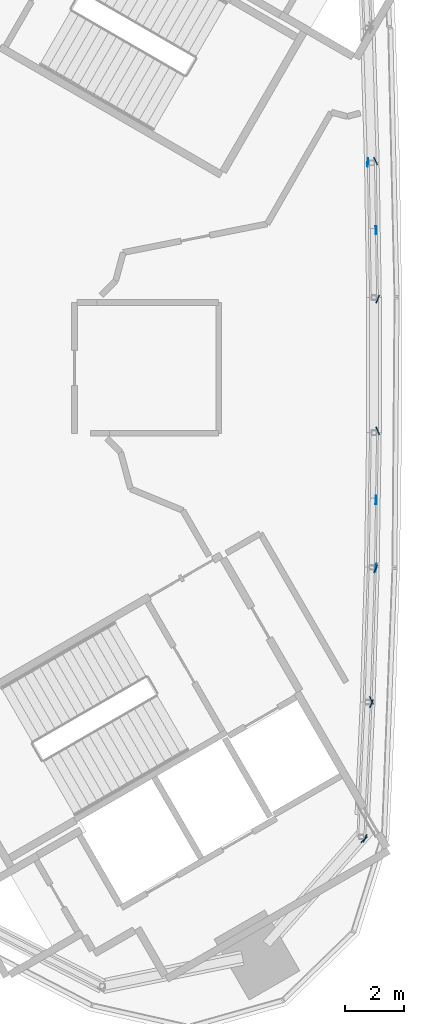
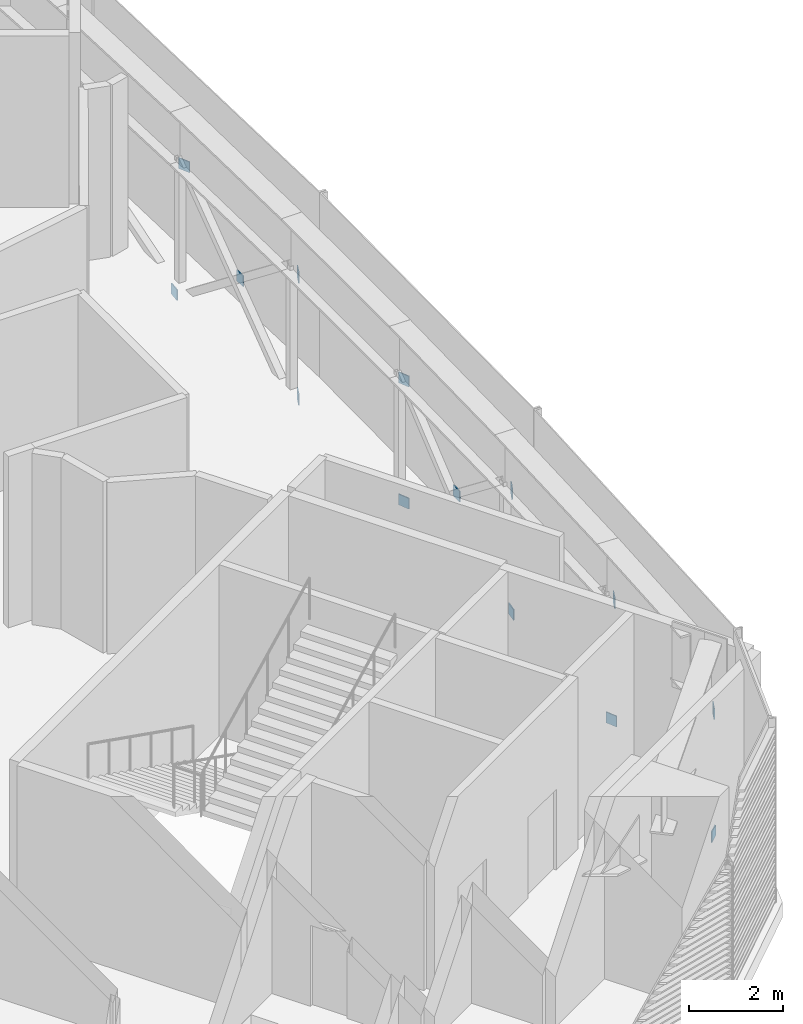
# One storey, part 12 of 21: 14 plates.
"""IFC4 building model written with IfcOpenShell, lengths in metres."""

from ifc_helpers import new_model, si_unit, direction, frame, origin, origin_2d, place, context, subcontext, project, spatial, rectangle, extrude, material, layer, layer_set, type_object, element, save


model = new_model("IFC4")

# Units and contexts
model_context = context("Model", 3, precision=1e-05, world=origin(), true_north=direction((0.0, 1.0)))
body_context = subcontext(model_context, "Body", "Model", "MODEL_VIEW")
ifc_project = project(units=[si_unit("LENGTHUNIT", "METRE"), si_unit("AREAUNIT", "SQUARE_METRE"), si_unit("VOLUMEUNIT", "CUBIC_METRE"), si_unit("PLANEANGLEUNIT", "RADIAN"), si_unit("MASSUNIT", "GRAM", prefix="KILO")], contexts=[model_context])

# Site, building, storey
site_placement = place(None, origin())
site = spatial("IfcSite", under=ifc_project, at=site_placement, CompositionType="ELEMENT")
building_placement = place(site_placement, origin())
building = spatial("IfcBuilding", under=site, at=building_placement, Name="Tamra Quay Hotel Tower", CompositionType="ELEMENT")
storey_placement = place(building_placement, frame((0.0, 0.0, 301.800048828125)))
storey = spatial("IfcBuildingStorey", under=building, at=storey_placement, Name="L76", CompositionType="ELEMENT", Elevation=301.800048828125)

# Plates
ifc_material = material(Name="Structural steel IS 2062 E350", Category="steel")
ifc_layer = layer(ifc_material, 0.02490234375)
ifc_layer_set = layer_set([ifc_layer], Name="BRACE END PLATE 25")
plate_type = type_object("IfcPlateType", Name="BRACE END PLATE 25", PredefinedType="SHEET", material=ifc_layer_set)
for number, where, z_axis, x_axis, name in (
    (1, (15.29833984375, -16.218505859375, -0.39990234375), (0.0, 0.0, 1.0), (-0.686170119019, 0.727441109482, 0.0), "BEP-L76-001"),
    (2, (15.545654296875, -11.45751953125, -0.39990234375), (0.0, 0.0, 1.0), (0.911286168584, 0.411773625853, 0.0), "BEP-L76-002"),
    (3, (15.70068359375, -6.927734375, -0.39990234375), (0.0, 0.0, 1.0), (-0.991799694595, 0.127802057109, 0.0), "BEP-L76-003"),
    (4, (15.7626953125, -2.24853515625, -0.39990234375), (0.0, 0.0, 1.0), (0.9197906804, 0.392409358005, 0.0), "BEP-L76-004"),
    (5, (15.7626953125, 2.24853515625, -0.39990234375), (0.0, 0.0, 1.0), (-0.9197906804, 0.392409358005, 0.0), "BEP-L76-005"),
    (6, (15.422607421875, 6.920654296875, -0.39990234375), (0.0, 0.0, 1.0), (-0.997007185623, 0.077308937492, 0.0), "BEP-L76-006"),
    (7, (15.33056640625, -16.173095703125, 2.77001953125), (0.0, 0.0, 1.0), (-0.915776905872, 0.401687264762, 0.0), "BEP-L76-025"),
    (8, (15.547119140625, -11.5693359375, 2.77001953125), (0.0, 0.0, 1.0), (-0.921932799948, 0.387349857855, 0.0), "BEP-L76-026"),
    (9, (15.68896484375, -6.96875, 2.77001953125), (0.0, 0.0, 1.0), (-0.907077079569, 0.420964572999, 0.0), "BEP-L76-027"),
    (10, (15.7626953125, -2.24853515625, 2.77001953125), (0.0, 0.0, 1.0), (0.9197906804, 0.392409358005, 0.0), "BEP-L76-028"),
    (11, (15.7626953125, 2.24853515625, 2.77001953125), (0.0, 0.0, 1.0), (-0.9197906804, 0.392409358005, 0.0), "BEP-L76-029"),
    (12, (15.68896484375, 6.96875, 2.77001953125), (0.0, 0.0, 1.0), (0.907077079569, 0.420964572999, 0.0), "BEP-L76-030"),
    (13, (15.70068359375, -4.6083984375, 1.259765625), (0.0, 0.0, 1.0), (-0.999877863048, 0.015628787136, 0.0), "BEP-L76-049"),
    (14, (15.70068359375, 4.6083984375, 1.259765625), (0.0, 0.0, 1.0), (0.999877863048, 0.015628787136, 0.0), "BEP-L76-050"),
):
    element("IfcPlate", number, at=place(storey_placement, frame(where, z_axis=z_axis, x_axis=x_axis)), inside=storey, type_object=plate_type, Name=name, PredefinedType="SHEET", context=body_context, shape_type="SweptSolid", body=[
        extrude(rectangle(XDim=0.02490234375, YDim=0.280029296875, at=origin_2d()), origin(), (0.0, 0.0, 1.0), 0.280029296875),
    ])

save(model, "model.ifc")
